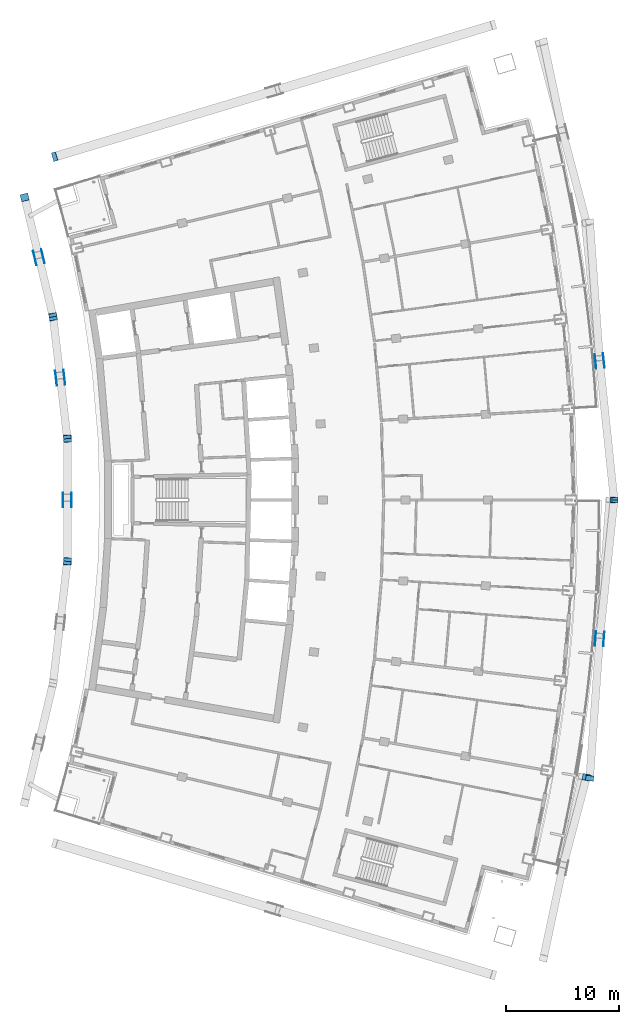
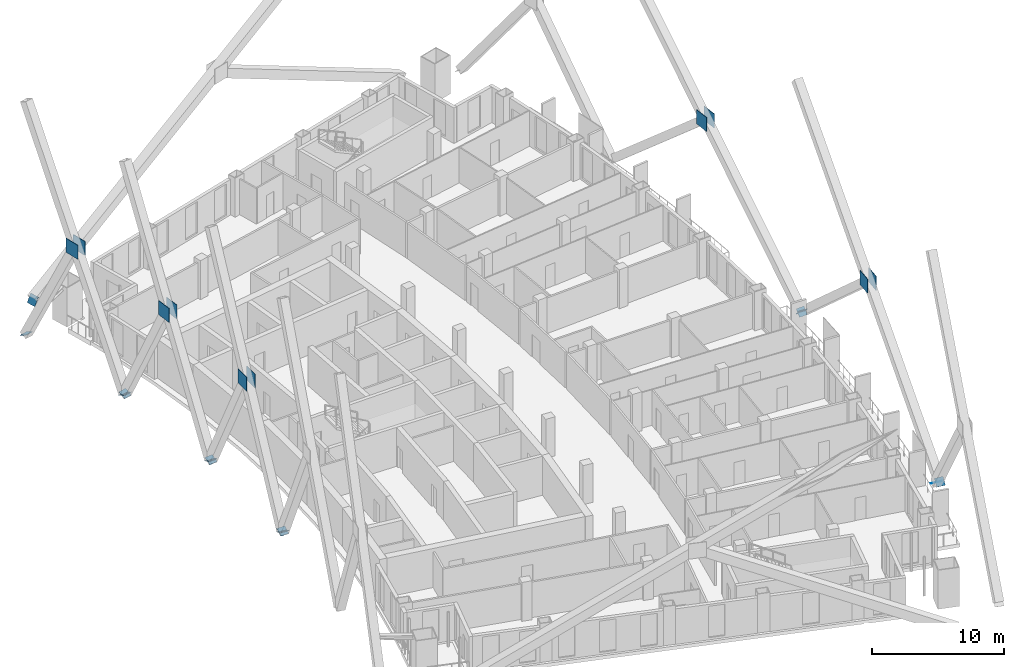
# One storey, part 17 of 20: 22 discrete accessories.
"""IFC4 building model written with IfcOpenShell, lengths in metres."""

from ifc_helpers import new_model, si_unit, direction, frame, origin, origin_2d, place, context, subcontext, project, spatial, rectangle, extrude, material, material_profile, profile_set, type_object, element, save


model = new_model("IFC4")

# Units and contexts
model_context = context("Model", 3, precision=1e-05, world=origin(), true_north=direction((0.0, 1.0)))
body_context = subcontext(model_context, "Body", "Model", "MODEL_VIEW")
ifc_project = project(units=[si_unit("LENGTHUNIT", "METRE"), si_unit("AREAUNIT", "SQUARE_METRE"), si_unit("VOLUMEUNIT", "CUBIC_METRE"), si_unit("PLANEANGLEUNIT", "RADIAN"), si_unit("MASSUNIT", "GRAM", prefix="KILO")], contexts=[model_context])

# Site, building, storey
site_placement = place(None, origin())
site = spatial("IfcSite", under=ifc_project, at=site_placement, CompositionType="ELEMENT")
building_placement = place(site_placement, origin())
building = spatial("IfcBuilding", under=site, at=building_placement, Name="Alderwake Tower", CompositionType="ELEMENT")
storey_placement = place(building_placement, frame((0.0, 0.0, 210.800048828125)))
storey = spatial("IfcBuildingStorey", under=building, at=storey_placement, Name="L52", CompositionType="ELEMENT", Elevation=210.800048828125)

# Discrete accessories
ifc_material_1 = material(Name="Steel ASTM A572 Grade 50", Category="steel")
ifc_material_profile_1 = material_profile(ifc_material_1, rectangle(XDim=0.699951171875, YDim=0.699951171875, at=origin_2d()), Name="BOX 700X700X45 cap")
ifc_profile_set_1 = profile_set([ifc_material_profile_1], Name="Steel ASTM A572 Grade 50")
discrete_accessory_type_1 = type_object("IfcDiscreteAccessoryType", Name="End cap plate BOX 700X700X45", PredefinedType="USERDEFINED", material=ifc_profile_set_1)
discrete_accessory_1_placement = place(storey_placement, frame((59.1767578125, 36.392333984375, 0.0), z_axis=(0.114561835219, 0.597358140783, 0.7937498583), x_axis=(-0.982102279235, 0.188348382319, 0.0)))
element("IfcDiscreteAccessory", 1, at=discrete_accessory_1_placement, inside=storey, type_object=discrete_accessory_type_1, Name="End cap BRF4.1.2A N", ObjectType="END CAP", PredefinedType="USERDEFINED", context=body_context, shape_type="SweptSolid", body=[
    extrude(rectangle(XDim=0.699951171875, YDim=0.699951171875, at=origin_2d()), origin(), (0.0, 0.0, 1.0), 0.02978515625),
])
discrete_accessory_2_placement = place(storey_placement, frame((61.6298828125, 61.0, 0.0), z_axis=(0.040724498871, 0.757475678997, 0.651591981933), x_axis=(-0.998557871823, 0.053685907087, 0.0)))
element("IfcDiscreteAccessory", 2, at=discrete_accessory_2_placement, inside=storey, type_object=discrete_accessory_type_1, Name="End cap BRF4.1.4A N", ObjectType="END CAP", PredefinedType="USERDEFINED", context=body_context, shape_type="SweptSolid", body=[
    extrude(rectangle(XDim=0.699951171875, YDim=0.699951171875, at=origin_2d()), origin(), (0.0, 0.0, 1.0), 0.030029296875),
])
discrete_accessory_3_placement = place(storey_placement, frame((59.466552734375, 36.341064453125, 0.0), z_axis=(-0.089859564923, -0.751552724807, 0.653524108528), x_axis=(0.992927816807, -0.11871963027, 0.0)))
element("IfcDiscreteAccessory", 3, at=discrete_accessory_3_placement, inside=storey, type_object=discrete_accessory_type_1, Name="End cap BRF4.1.4B2 N", ObjectType="END CAP", PredefinedType="USERDEFINED", context=body_context, shape_type="SweptSolid", body=[
    extrude(rectangle(XDim=0.699951171875, YDim=0.699951171875, at=origin_2d()), origin(), (0.0, 0.0, 1.0), 0.02978515625),
])
for number, where, z_axis, x_axis, name in (
    (4, (61.6298828125, 61.0, 0.0), (0.040724498871, -0.757475678997, 0.651591981933), (0.998557871823, 0.053685907087, 0.0), "End cap BRF4.1.7B2 N"),
    (5, (13.141357421875, 55.560546875, 0.0), (0.048728980643, 0.446682322562, 0.893364645123), (-0.994102176608, 0.108447510175, 0.0), "End cap BRR4.1.4A N"),
    (6, (13.141357421875, 66.439453125, 0.0), (0.0, 0.4472135955, 0.894427191), (-1.0, 0.0, 0.0), "End cap BRR4.1.6A N"),
    (7, (13.141357421875, 55.560546875, 0.0), (0.0, -0.4472135955, 0.894427191), (1.0, 0.0, 0.0), "End cap BRR4.1.6B2 N"),
    (8, (11.875, 77.244384765625, 0.0), (-0.056826119483, 0.446490938798, 0.892981877596), (-0.991997911724, -0.126254279674, 0.0), "End cap BRR4.1.8A N"),
    (9, (13.141357421875, 66.439453125, 0.0), (0.048728980643, -0.446682322562, 0.893364645123), (0.994102176608, 0.108447510175, 0.0), "End cap BRR4.1.8B2 N"),
    (10, (9.359619140625, 87.828369140625, 0.0), (-0.105869651339, 0.43162242469, 0.895820126716), (-0.971210844098, -0.238221527798, 0.0), "End cap BRR4.1.10A N"),
    (11, (11.875, 77.244384765625, 0.0), (0.105495990526, -0.438214114494, 0.892658381376), (0.972223637158, 0.234053838575, 0.0), "End cap BRR4.1.10B2 N"),
):
    element("IfcDiscreteAccessory", number, at=place(storey_placement, frame(where, z_axis=z_axis, x_axis=x_axis)), inside=storey, type_object=discrete_accessory_type_1, Name=name, ObjectType="END CAP", PredefinedType="USERDEFINED", context=body_context, shape_type="SweptSolid", body=[
        extrude(rectangle(XDim=0.699951171875, YDim=0.699951171875, at=origin_2d()), origin(), (0.0, 0.0, 1.0), 0.030029296875),
    ])
ifc_material_2 = material(Name="Steel ASTM A572 Grade 50", Category="steel")
ifc_material_profile_2 = material_profile(ifc_material_2, rectangle(XDim=0.800048828125, YDim=0.800048828125, at=origin_2d()), Name="BOX 800X800X50 cap")
ifc_profile_set_2 = profile_set([ifc_material_profile_2], Name="Steel ASTM A572 Grade 50")
discrete_accessory_type_2 = type_object("IfcDiscreteAccessoryType", Name="End cap plate BOX 800X800X50", PredefinedType="USERDEFINED", material=ifc_profile_set_2)
discrete_accessory_4_placement = place(storey_placement, frame((12.031005859375, 91.449462890625, 0.0), z_axis=(-0.848421463916, -0.252894859437, 0.465000225416), x_axis=(0.285656661543, -0.958332025822, 0.0)))
element("IfcDiscreteAccessory", 12, at=discrete_accessory_4_placement, inside=storey, type_object=discrete_accessory_type_2, Name="End cap BRN4.1.0B2 N", ObjectType="END CAP", PredefinedType="USERDEFINED", context=body_context, shape_type="SweptSolid", body=[
    extrude(rectangle(XDim=0.800048828125, YDim=0.800048828125, at=origin_2d()), origin(), (0.0, 0.0, 1.0), 0.030029296875),
])
ifc_material_3 = material(Name="Steel ASTM A572 Grade 50", Category="steel")
ifc_material_profile_3 = material_profile(ifc_material_3, rectangle(XDim=1.300048828125, YDim=1.300048828125, at=origin_2d()), Name="gusset 1300X1300")
ifc_profile_set_3 = profile_set([ifc_material_profile_3], Name="Steel ASTM A572 Grade 50")
discrete_accessory_type_3 = type_object("IfcDiscreteAccessoryType", Name="Gusset plate 1300X1300X40", PredefinedType="USERDEFINED", material=ifc_profile_set_3)
discrete_accessory_5_placement = place(storey_placement, frame((60.69970703125, 48.6806640625, 10.800048828125), z_axis=(0.997301040923, -0.073420935528, 0.0), x_axis=(0.073420935528, 0.997301040923, 0.0)))
element("IfcDiscreteAccessory", 13, at=discrete_accessory_5_placement, inside=storey, type_object=discrete_accessory_type_3, Name="Gusset plate BRF4.2.4B outer", ObjectType="GUSSET PLATE", PredefinedType="USERDEFINED", context=body_context, shape_type="SweptSolid", body=[
    extrude(rectangle(XDim=1.300048828125, YDim=1.300048828125, at=origin_2d()), origin(), (0.0, 0.0, 1.0), 0.039794921875),
])
for number, where, z_axis, x_axis, name in (
    (14, (60.00146484375, 48.73046875, 10.800048828125), (-0.997333723592, 0.072975638312, 0.0), (-0.072975638312, -0.997333723592, 0.0), "Gusset plate BRF4.2.4B inner"),
    (15, (60.695556640625, 73.36572265625, 10.800048828125), (0.99460530117, 0.103731841226, 0.0), (-0.103731841226, 0.99460530117, 0.0), "Gusset plate BRF4.2.7B outer"),
    (16, (59.999267578125, 73.293212890625, 10.800048828125), (-0.99460530117, -0.103731841226, 0.0), (0.103731841226, -0.99460530117, 0.0), "Gusset plate BRF4.2.7B inner"),
    (17, (13.4912109375, 61.0, 10.800048828125), (1.0, 0.0, 0.0), (0.0, 1.0, 0.0), "Gusset plate BRR4.2.6B outer"),
    (18, (12.791259765625, 61.0, 10.800048828125), (-1.0, 0.0, 0.0), (0.0, -1.0, 0.0), "Gusset plate BRR4.2.6B inner"),
    (19, (12.855712890625, 71.882568359375, 10.800048828125), (0.993274823804, 0.115780500934, 0.0), (-0.115780500934, 0.993274823804, 0.0), "Gusset plate BRR4.2.8B outer"),
):
    element("IfcDiscreteAccessory", number, at=place(storey_placement, frame(where, z_axis=z_axis, x_axis=x_axis)), inside=storey, type_object=discrete_accessory_type_3, Name=name, ObjectType="GUSSET PLATE", PredefinedType="USERDEFINED", context=body_context, shape_type="SweptSolid", body=[
        extrude(rectangle(XDim=1.300048828125, YDim=1.300048828125, at=origin_2d()), origin(), (0.0, 0.0, 1.0), 0.0400390625),
    ])
for number, where, z_axis, x_axis, name in (
    (20, (12.160400390625, 71.801025390625, 10.800048828125), (-0.993192389202, -0.116485527129, 0.0), (0.116485527129, -0.993192389202, 0.0), "Gusset plate BRR4.2.8B inner"),
    (21, (10.957763671875, 82.6171875, 10.800048828125), (0.972608962829, 0.232447425079, 0.0), (-0.232447425079, 0.972608962829, 0.0), "Gusset plate BRR4.2.10B outer"),
):
    element("IfcDiscreteAccessory", number, at=place(storey_placement, frame(where, z_axis=z_axis, x_axis=x_axis)), inside=storey, type_object=discrete_accessory_type_3, Name=name, ObjectType="GUSSET PLATE", PredefinedType="USERDEFINED", context=body_context, shape_type="SweptSolid", body=[
        extrude(rectangle(XDim=1.300048828125, YDim=1.300048828125, at=origin_2d()), origin(), (0.0, 0.0, 1.0), 0.039794921875),
    ])
discrete_accessory_6_placement = place(storey_placement, frame((10.27685546875, 82.455322265625, 10.800048828125), z_axis=(-0.974288465505, -0.225304207648, 0.0), x_axis=(0.225304207648, -0.974288465505, 0.0)))
element("IfcDiscreteAccessory", 22, at=discrete_accessory_6_placement, inside=storey, type_object=discrete_accessory_type_3, Name="Gusset plate BRR4.2.10B inner", ObjectType="GUSSET PLATE", PredefinedType="USERDEFINED", context=body_context, shape_type="SweptSolid", body=[
    extrude(rectangle(XDim=1.300048828125, YDim=1.300048828125, at=origin_2d()), origin(), (0.0, 0.0, 1.0), 0.0400390625),
])

save(model, "model.ifc")
